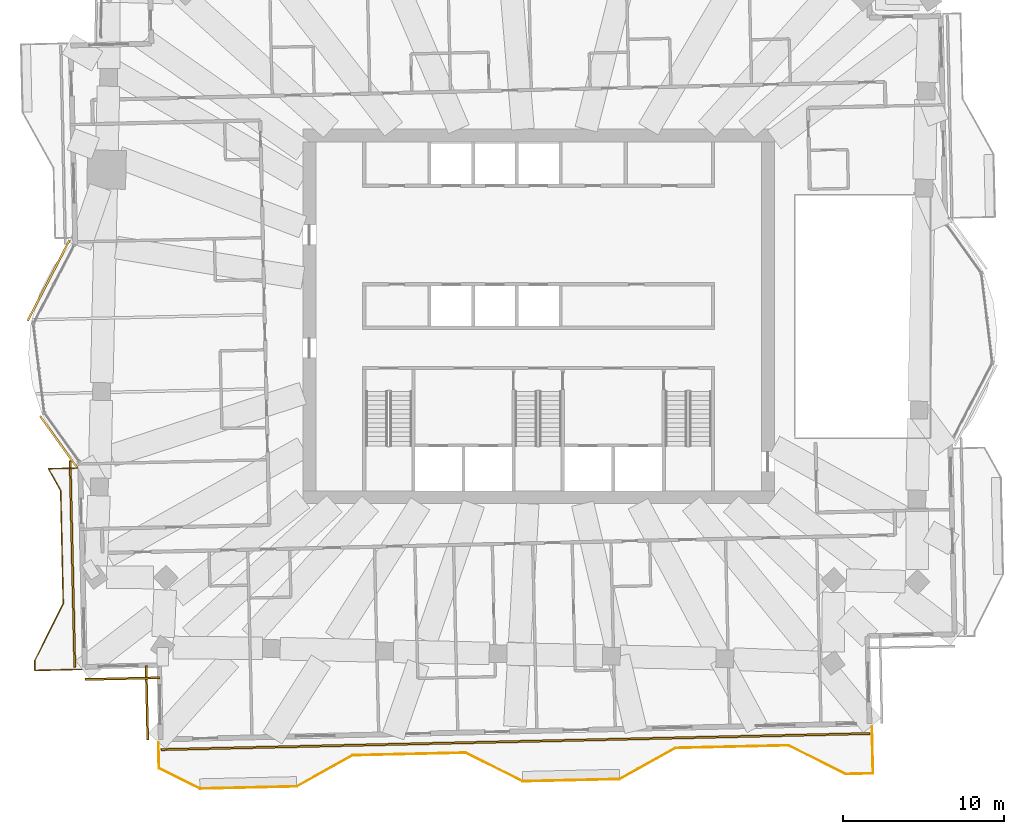
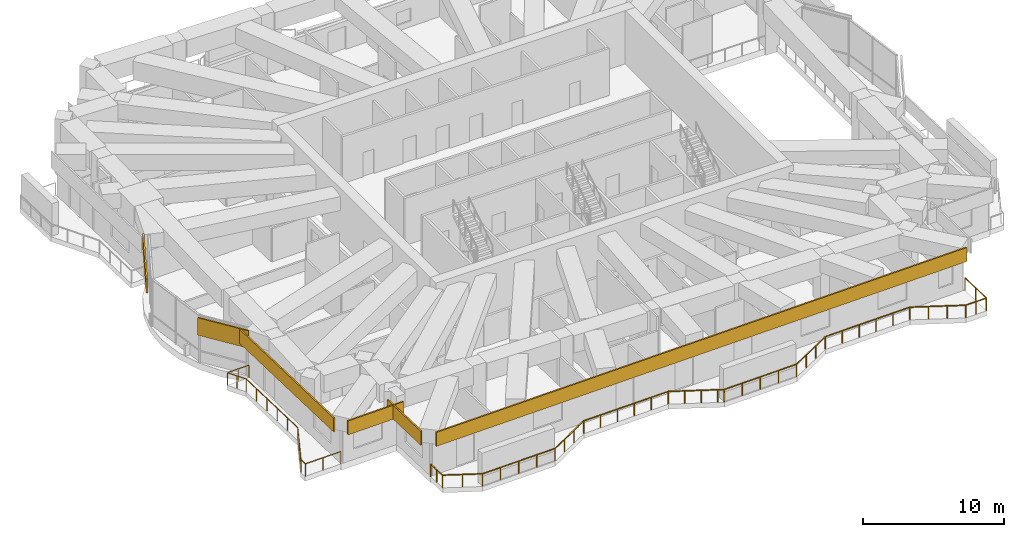
# One storey, part 15 of 19: 6 coverings, 2 railings.
"""IFC4 building model written with IfcOpenShell, lengths in metres."""

from ifc_helpers import new_model, si_unit, direction, frame, frame_2d, origin, origin_2d, place, context, subcontext, project, spatial, rectangle, extrude, material, layer, layer_set, type_object, element, save


model = new_model("IFC4")

# Units and contexts
model_context = context("Model", 3, precision=1e-05, world=origin(), true_north=direction((0.0, 1.0)))
body_context = subcontext(model_context, "Body", "Model", "MODEL_VIEW")
ifc_project = project(units=[si_unit("LENGTHUNIT", "METRE"), si_unit("AREAUNIT", "SQUARE_METRE"), si_unit("VOLUMEUNIT", "CUBIC_METRE"), si_unit("PLANEANGLEUNIT", "RADIAN"), si_unit("MASSUNIT", "GRAM", prefix="KILO")], contexts=[model_context])

# Site, building, storey
site_placement = place(None, origin())
site = spatial("IfcSite", under=ifc_project, at=site_placement, CompositionType="ELEMENT")
building_placement = place(site_placement, origin())
building = spatial("IfcBuilding", under=site, at=building_placement, Name="Mangrove Gate Tower", CompositionType="ELEMENT")
storey_placement = place(building_placement, frame((0.0, 0.0, 226.5)))
storey = spatial("IfcBuildingStorey", under=building, at=storey_placement, Name="L57", CompositionType="ELEMENT", Elevation=226.5)

# Railings
ifc_material_1 = material(Name="Stainless steel grade 316 with laminated glass infill", Category="steel")
railing_type = type_object("IfcRailingType", Name="Balcony guard 1100", PredefinedType="GUARDRAIL", material=ifc_material_1)
railing_1_placement = place(storey_placement, frame((-28.574951171875, -9.388916015625, 0.0)))
element("IfcRailing", 1, at=railing_1_placement, inside=storey, type_object=railing_type, Name="GUARD L57 W2", PredefinedType="GUARDRAIL", context=body_context, shape_type="SweptSolid", body=[
    extrude(rectangle(XDim=0.048095703125, YDim=0.048095703125, at=origin_2d()), frame((0.0, 0.0, 1.076171875), z_axis=(-0.999736733938, -0.0229447775, 0.0), x_axis=(0.0229447775, -0.999736733938, 0.0)), (0.0, 0.0, 1.0), 1.78759765625),
    extrude(rectangle(XDim=0.048095703125, YDim=0.048095703125, at=origin_2d()), frame((-1.787109375, -0.041015625, 1.076171875), z_axis=(0.487374509101, -0.873193041588, 0.0), x_axis=(0.873193041588, 0.487374509101, 0.0)), (0.0, 0.0, 1.0), 1.555419921875),
    extrude(rectangle(XDim=0.048095703125, YDim=0.048095703125, at=origin_2d()), frame((-1.029052734375, -1.399169921875, 1.076171875), z_axis=(0.022706351659, -0.999742177561, 0.0), x_axis=(0.999742177561, 0.022706351659, 0.0)), (0.0, 0.0, 1.0), 6.99951171875),
    extrude(rectangle(XDim=0.048095703125, YDim=0.048095703125, at=origin_2d()), frame((-0.8701171875, -8.39697265625, 1.076171875), z_axis=(-0.447114919141, -0.894476522376, 0.0), x_axis=(0.894476522376, -0.447114919141, 0.0)), (0.0, 0.0, 1.0), 3.958740234375),
    extrude(rectangle(XDim=0.048095703125, YDim=0.048095703125, at=origin_2d()), frame((-2.64013671875, -11.93798828125, 1.076171875), z_axis=(0.021963780888, -0.999758767068, 0.0), x_axis=(0.999758767068, 0.021963780888, 0.0)), (0.0, 0.0, 1.0), 0.600341796875),
    extrude(rectangle(XDim=0.048095703125, YDim=0.048095703125, at=origin_2d()), frame((-2.626953125, -12.5380859375, 1.076171875), z_axis=(0.999743521605, 0.022647097142, 0.0), x_axis=(-0.022647097142, 0.999743521605, 0.0)), (0.0, 0.0, 1.0), 2.91064453125),
    extrude(rectangle(XDim=0.0419921875, YDim=0.0419921875, at=origin_2d()), origin(), (0.0, 0.0, 1.0), 1.052001953125),
    extrude(rectangle(XDim=0.0419921875, YDim=0.0419921875, at=origin_2d()), frame((-0.8935546875, -0.0205078125, 0.0)), (0.0, 0.0, 1.0), 1.052001953125),
    extrude(rectangle(XDim=0.0419921875, YDim=0.0419921875, at=origin_2d()), frame((-1.787109375, -0.041015625, 0.0)), (0.0, 0.0, 1.0), 1.052001953125),
    extrude(rectangle(XDim=0.0419921875, YDim=0.0419921875, at=origin_2d()), frame((-1.408203125, -0.72021484375, 0.0)), (0.0, 0.0, 1.0), 1.052001953125),
    extrude(rectangle(XDim=0.0419921875, YDim=0.0419921875, at=origin_2d()), frame((-1.029052734375, -1.399169921875, 0.0)), (0.0, 0.0, 1.0), 1.052001953125),
    extrude(rectangle(XDim=0.0419921875, YDim=0.0419921875, at=origin_2d()), frame((-0.997314453125, -2.798828125, 0.0)), (0.0, 0.0, 1.0), 1.052001953125),
    extrude(rectangle(XDim=0.0419921875, YDim=0.0419921875, at=origin_2d()), frame((-0.965576171875, -4.1982421875, 0.0)), (0.0, 0.0, 1.0), 1.052001953125),
    extrude(rectangle(XDim=0.0419921875, YDim=0.0419921875, at=origin_2d()), frame((-0.93359375, -5.597900390625, 0.0)), (0.0, 0.0, 1.0), 1.052001953125),
    extrude(rectangle(XDim=0.0419921875, YDim=0.0419921875, at=origin_2d()), frame((-0.90185546875, -6.997314453125, 0.0)), (0.0, 0.0, 1.0), 1.052001953125),
    extrude(rectangle(XDim=0.0419921875, YDim=0.0419921875, at=origin_2d()), frame((-0.8701171875, -8.39697265625, 0.0)), (0.0, 0.0, 1.0), 1.052001953125),
    extrude(rectangle(XDim=0.0419921875, YDim=0.0419921875, at=origin_2d()), frame((-1.460205078125, -9.577392578125, 0.0)), (0.0, 0.0, 1.0), 1.052001953125),
    extrude(rectangle(XDim=0.0419921875, YDim=0.0419921875, at=origin_2d()), frame((-2.050048828125, -10.757568359375, 0.0)), (0.0, 0.0, 1.0), 1.052001953125),
    extrude(rectangle(XDim=0.0419921875, YDim=0.0419921875, at=origin_2d()), frame((-2.64013671875, -11.93798828125, 0.0)), (0.0, 0.0, 1.0), 1.052001953125),
    extrude(rectangle(XDim=0.0419921875, YDim=0.0419921875, at=origin_2d()), frame((-2.626953125, -12.5380859375, 0.0)), (0.0, 0.0, 1.0), 1.052001953125),
    extrude(rectangle(XDim=0.0419921875, YDim=0.0419921875, at=origin_2d()), frame((-1.171875, -12.505126953125, 0.0)), (0.0, 0.0, 1.0), 1.052001953125),
    extrude(rectangle(XDim=0.0419921875, YDim=0.0419921875, at=origin_2d()), frame((0.282958984375, -12.47216796875, 0.0)), (0.0, 0.0, 1.0), 1.052001953125),
])
railing_2_placement = place(storey_placement, frame((-23.548095703125, -26.39404296875, 0.0)))
element("IfcRailing", 2, at=railing_2_placement, inside=storey, type_object=railing_type, Name="GUARD L57 S1", PredefinedType="GUARDRAIL", context=body_context, shape_type="SweptSolid", body=[
    extrude(rectangle(XDim=0.048095703125, YDim=0.048095703125, at=origin_2d()), frame((0.0, 0.0, 1.076171875), z_axis=(0.022777340407, -0.999740562728, 0.0), x_axis=(0.999740562728, 0.022777340407, 0.0)), (0.0, 0.0, 1.0), 1.58642578125),
    extrude(rectangle(XDim=0.048095703125, YDim=0.048095703125, at=origin_2d()), frame((0.0361328125, -1.5859375, 1.076171875), z_axis=(0.894340972845, -0.447385990271, 0.0), x_axis=(0.447385990271, 0.894340972845, 0.0)), (0.0, 0.0, 1.0), 2.832275390625),
    extrude(rectangle(XDim=0.048095703125, YDim=0.048095703125, at=origin_2d()), frame((2.569091796875, -2.85302734375, 1.076171875), z_axis=(0.999743094499, 0.022665943652, 0.0), x_axis=(-0.022665943652, 0.999743094499, 0.0)), (0.0, 0.0, 1.0), 5.99951171875),
    extrude(rectangle(XDim=0.048095703125, YDim=0.048095703125, at=origin_2d()), frame((8.567138671875, -2.717041015625, 1.076171875), z_axis=(0.873289216505, 0.487202159618, 0.0), x_axis=(-0.487202159618, 0.873289216505, 0.0)), (0.0, 0.0, 1.0), 3.959716796875),
    extrude(rectangle(XDim=0.048095703125, YDim=0.048095703125, at=origin_2d()), frame((12.025146484375, -0.787841796875, 1.076171875), z_axis=(0.999742195543, 0.022705559911, 0.0), x_axis=(-0.022705559911, 0.999742195543, 0.0)), (0.0, 0.0, 1.0), 6.999755859375),
    extrude(rectangle(XDim=0.048095703125, YDim=0.048095703125, at=origin_2d()), frame((19.023193359375, -0.62890625, 1.076171875), z_axis=(0.894413264318, -0.447241447779, 0.0), x_axis=(0.447241447779, 0.894413264318, 0.0)), (0.0, 0.0, 1.0), 3.506103515625),
    extrude(rectangle(XDim=0.048095703125, YDim=0.048095703125, at=origin_2d()), frame((22.1591796875, -2.197021484375, 1.076171875), z_axis=(0.894966001385, -0.446134347888, 0.0), x_axis=(0.446134347888, 0.894966001385, 0.0)), (0.0, 0.0, 1.0), 0.45263671875),
    extrude(rectangle(XDim=0.048095703125, YDim=0.048095703125, at=origin_2d()), frame((22.564208984375, -2.39892578125, 1.076171875), z_axis=(0.999743073592, 0.022666865795, 0.0), x_axis=(-0.022666865795, 0.999743073592, 0.0)), (0.0, 0.0, 1.0), 5.999267578125),
    extrude(rectangle(XDim=0.048095703125, YDim=0.048095703125, at=origin_2d()), frame((28.56201171875, -2.262939453125, 1.076171875), z_axis=(0.87325689943, 0.48726008209, 0.0), x_axis=(-0.48726008209, 0.87325689943, 0.0)), (0.0, 0.0, 1.0), 3.958740234375),
    extrude(rectangle(XDim=0.048095703125, YDim=0.048095703125, at=origin_2d()), frame((32.01904296875, -0.333984375, 1.076171875), z_axis=(0.999742267452, 0.022702393474, 0.0), x_axis=(-0.022702393474, 0.999742267452, 0.0)), (0.0, 0.0, 1.0), 7.000732421875),
    extrude(rectangle(XDim=0.048095703125, YDim=0.048095703125, at=origin_2d()), frame((39.01806640625, -0.175048828125, 1.076171875), z_axis=(0.894476522376, -0.447114919141, 0.0), x_axis=(0.447114919141, 0.894476522376, 0.0)), (0.0, 0.0, 1.0), 3.958740234375),
    extrude(rectangle(XDim=0.048095703125, YDim=0.048095703125, at=origin_2d()), frame((42.55908203125, -1.945068359375, 1.076171875), z_axis=(0.999750055601, 0.022356795968, 0.0), x_axis=(-0.022356795968, 0.999750055601, 0.0)), (0.0, 0.0, 1.0), 1.70361328125),
    extrude(rectangle(XDim=0.048095703125, YDim=0.048095703125, at=origin_2d()), frame((44.26220703125, -1.906982421875, 1.076171875), z_axis=(-0.02273093202, 0.999741618984, 0.0), x_axis=(-0.999741618984, -0.02273093202, 0.0)), (0.0, 0.0, 1.0), 2.91064453125),
    extrude(rectangle(XDim=0.0419921875, YDim=0.0419921875, at=origin_2d()), origin(), (0.0, 0.0, 1.0), 1.052001953125),
    extrude(rectangle(XDim=0.0419921875, YDim=0.0419921875, at=origin_2d()), frame((0.01806640625, -0.79296875, 0.0)), (0.0, 0.0, 1.0), 1.052001953125),
    extrude(rectangle(XDim=0.0419921875, YDim=0.0419921875, at=origin_2d()), frame((0.0361328125, -1.5859375, 0.0)), (0.0, 0.0, 1.0), 1.052001953125),
    extrude(rectangle(XDim=0.0419921875, YDim=0.0419921875, at=origin_2d()), frame((1.302734375, -2.219482421875, 0.0)), (0.0, 0.0, 1.0), 1.052001953125),
    extrude(rectangle(XDim=0.0419921875, YDim=0.0419921875, at=origin_2d()), frame((2.569091796875, -2.85302734375, 0.0)), (0.0, 0.0, 1.0), 1.052001953125),
    extrude(rectangle(XDim=0.0419921875, YDim=0.0419921875, at=origin_2d()), frame((4.068603515625, -2.819091796875, 0.0)), (0.0, 0.0, 1.0), 1.052001953125),
    extrude(rectangle(XDim=0.0419921875, YDim=0.0419921875, at=origin_2d()), frame((5.568115234375, -2.78515625, 0.0)), (0.0, 0.0, 1.0), 1.052001953125),
    extrude(rectangle(XDim=0.0419921875, YDim=0.0419921875, at=origin_2d()), frame((7.067626953125, -2.7509765625, 0.0)), (0.0, 0.0, 1.0), 1.052001953125),
    extrude(rectangle(XDim=0.0419921875, YDim=0.0419921875, at=origin_2d()), frame((8.567138671875, -2.717041015625, 0.0)), (0.0, 0.0, 1.0), 1.052001953125),
    extrude(rectangle(XDim=0.0419921875, YDim=0.0419921875, at=origin_2d()), frame((9.7197265625, -2.073974609375, 0.0)), (0.0, 0.0, 1.0), 1.052001953125),
    extrude(rectangle(XDim=0.0419921875, YDim=0.0419921875, at=origin_2d()), frame((10.87255859375, -1.430908203125, 0.0)), (0.0, 0.0, 1.0), 1.052001953125),
    extrude(rectangle(XDim=0.0419921875, YDim=0.0419921875, at=origin_2d()), frame((12.025146484375, -0.787841796875, 0.0)), (0.0, 0.0, 1.0), 1.052001953125),
    extrude(rectangle(XDim=0.0419921875, YDim=0.0419921875, at=origin_2d()), frame((13.4248046875, -0.756103515625, 0.0)), (0.0, 0.0, 1.0), 1.052001953125),
    extrude(rectangle(XDim=0.0419921875, YDim=0.0419921875, at=origin_2d()), frame((14.824462890625, -0.724365234375, 0.0)), (0.0, 0.0, 1.0), 1.052001953125),
    extrude(rectangle(XDim=0.0419921875, YDim=0.0419921875, at=origin_2d()), frame((16.223876953125, -0.6923828125, 0.0)), (0.0, 0.0, 1.0), 1.052001953125),
    extrude(rectangle(XDim=0.0419921875, YDim=0.0419921875, at=origin_2d()), frame((17.62353515625, -0.66064453125, 0.0)), (0.0, 0.0, 1.0), 1.052001953125),
    extrude(rectangle(XDim=0.0419921875, YDim=0.0419921875, at=origin_2d()), frame((19.023193359375, -0.62890625, 0.0)), (0.0, 0.0, 1.0), 1.052001953125),
    extrude(rectangle(XDim=0.0419921875, YDim=0.0419921875, at=origin_2d()), frame((20.068603515625, -1.151611328125, 0.0)), (0.0, 0.0, 1.0), 1.052001953125),
    extrude(rectangle(XDim=0.0419921875, YDim=0.0419921875, at=origin_2d()), frame((21.11376953125, -1.67431640625, 0.0)), (0.0, 0.0, 1.0), 1.052001953125),
    extrude(rectangle(XDim=0.0419921875, YDim=0.0419921875, at=origin_2d()), frame((22.1591796875, -2.197021484375, 0.0)), (0.0, 0.0, 1.0), 1.052001953125),
    extrude(rectangle(XDim=0.0419921875, YDim=0.0419921875, at=origin_2d()), frame((22.564208984375, -2.39892578125, 0.0)), (0.0, 0.0, 1.0), 1.052001953125),
    extrude(rectangle(XDim=0.0419921875, YDim=0.0419921875, at=origin_2d()), frame((24.063720703125, -2.364990234375, 0.0)), (0.0, 0.0, 1.0), 1.052001953125),
    extrude(rectangle(XDim=0.0419921875, YDim=0.0419921875, at=origin_2d()), frame((25.56298828125, -2.3310546875, 0.0)), (0.0, 0.0, 1.0), 1.052001953125),
    extrude(rectangle(XDim=0.0419921875, YDim=0.0419921875, at=origin_2d()), frame((27.0625, -2.296875, 0.0)), (0.0, 0.0, 1.0), 1.052001953125),
    extrude(rectangle(XDim=0.0419921875, YDim=0.0419921875, at=origin_2d()), frame((28.56201171875, -2.262939453125, 0.0)), (0.0, 0.0, 1.0), 1.052001953125),
    extrude(rectangle(XDim=0.0419921875, YDim=0.0419921875, at=origin_2d()), frame((29.71435546875, -1.619873046875, 0.0)), (0.0, 0.0, 1.0), 1.052001953125),
    extrude(rectangle(XDim=0.0419921875, YDim=0.0419921875, at=origin_2d()), frame((30.86669921875, -0.97705078125, 0.0)), (0.0, 0.0, 1.0), 1.052001953125),
    extrude(rectangle(XDim=0.0419921875, YDim=0.0419921875, at=origin_2d()), frame((32.01904296875, -0.333984375, 0.0)), (0.0, 0.0, 1.0), 1.052001953125),
    extrude(rectangle(XDim=0.0419921875, YDim=0.0419921875, at=origin_2d()), frame((33.4189453125, -0.30224609375, 0.0)), (0.0, 0.0, 1.0), 1.052001953125),
    extrude(rectangle(XDim=0.0419921875, YDim=0.0419921875, at=origin_2d()), frame((34.818603515625, -0.2705078125, 0.0)), (0.0, 0.0, 1.0), 1.052001953125),
    extrude(rectangle(XDim=0.0419921875, YDim=0.0419921875, at=origin_2d()), frame((36.218505859375, -0.238525390625, 0.0)), (0.0, 0.0, 1.0), 1.052001953125),
    extrude(rectangle(XDim=0.0419921875, YDim=0.0419921875, at=origin_2d()), frame((37.6181640625, -0.206787109375, 0.0)), (0.0, 0.0, 1.0), 1.052001953125),
    extrude(rectangle(XDim=0.0419921875, YDim=0.0419921875, at=origin_2d()), frame((39.01806640625, -0.175048828125, 0.0)), (0.0, 0.0, 1.0), 1.052001953125),
    extrude(rectangle(XDim=0.0419921875, YDim=0.0419921875, at=origin_2d()), frame((40.198486328125, -0.76513671875, 0.0)), (0.0, 0.0, 1.0), 1.052001953125),
    extrude(rectangle(XDim=0.0419921875, YDim=0.0419921875, at=origin_2d()), frame((41.378662109375, -1.35498046875, 0.0)), (0.0, 0.0, 1.0), 1.052001953125),
    extrude(rectangle(XDim=0.0419921875, YDim=0.0419921875, at=origin_2d()), frame((42.55908203125, -1.945068359375, 0.0)), (0.0, 0.0, 1.0), 1.052001953125),
    extrude(rectangle(XDim=0.0419921875, YDim=0.0419921875, at=origin_2d()), frame((43.41064453125, -1.926025390625, 0.0)), (0.0, 0.0, 1.0), 1.052001953125),
    extrude(rectangle(XDim=0.0419921875, YDim=0.0419921875, at=origin_2d()), frame((44.26220703125, -1.906982421875, 0.0)), (0.0, 0.0, 1.0), 1.052001953125),
    extrude(rectangle(XDim=0.0419921875, YDim=0.0419921875, at=origin_2d()), frame((44.22900390625, -0.4521484375, 0.0)), (0.0, 0.0, 1.0), 1.052001953125),
    extrude(rectangle(XDim=0.0419921875, YDim=0.0419921875, at=origin_2d()), frame((44.196044921875, 1.0029296875, 0.0)), (0.0, 0.0, 1.0), 1.052001953125),
])

# Coverings
ifc_material_2 = material(Name="Limestone", Category="masonry")
ifc_layer_1 = layer(ifc_material_2, 0.0400390625, Name="Limestone cladding")
ifc_material_3 = material(Name="Stainless steel anchors and cavity", Category="steel")
ifc_layer_2 = layer(ifc_material_3, 0.080078125, Name="Fixing cavity")
ifc_layer_set = layer_set([ifc_layer_1, ifc_layer_2], Name="Joint fascia cladding 120")
covering_type = type_object("IfcCoveringType", Name="Joint fascia cladding 120", PredefinedType="CLADDING", material=ifc_layer_set)
covering_1_placement = place(storey_placement, frame((-29.048095703125, 4.737060546875, 2.85009765625), z_axis=(0.0, 0.0, 1.0), x_axis=(-0.460682195105, -0.887565161052, 0.0)))
element("IfcCovering", 3, at=covering_1_placement, inside=storey, type_object=covering_type, Name="STONE FASCIA L57 W9.L1", PredefinedType="CLADDING", context=body_context, shape_type="SweptSolid", body=[
    extrude(rectangle(XDim=5.641357421875, YDim=0.1201171875, at=frame_2d((2.82080078125, 0.0))), origin(), (0.0, 0.0, 1.0), 1.199951171875),
])
covering_2_placement = place(storey_placement, frame((-30.875, -6.1650390625, 2.550048828125), z_axis=(0.0, 0.0, 1.0), x_axis=(0.58357585239, -0.812058633664, 0.0)))
element("IfcCovering", 4, at=covering_2_placement, inside=storey, type_object=covering_type, Name="STONE FASCIA L57 W9.L2", PredefinedType="CLADDING", context=body_context, shape_type="SweptSolid", body=[
    extrude(rectangle(XDim=3.927978515625, YDim=0.1201171875, at=frame_2d((1.9638671875, 0.0))), origin(), (0.0, 0.0, 1.0), 1.5),
])
covering_3_placement = place(storey_placement, frame((-29.017578125, -8.932861328125, 2.85009765625), z_axis=(0.0, 0.0, 1.0), x_axis=(0.022712734226, -0.999742032578, 0.0)))
element("IfcCovering", 5, at=covering_3_placement, inside=storey, type_object=covering_type, Name="STONE FASCIA L57 W10.1", PredefinedType="CLADDING", context=body_context, shape_type="SweptSolid", body=[
    extrude(rectangle(XDim=12.79150390625, YDim=0.1201171875, at=frame_2d((6.395751953125, 0.0))), origin(), (0.0, 0.0, 1.0), 1.199951171875),
])
covering_4_placement = place(storey_placement, frame((-28.087890625, -22.48388671875, 2.85009765625), z_axis=(0.0, 0.0, 1.0), x_axis=(0.999740466145, 0.02278157925, 0.0)))
element("IfcCovering", 6, at=covering_4_placement, inside=storey, type_object=covering_type, Name="STONE FASCIA L57 S11.1", PredefinedType="CLADDING", context=body_context, shape_type="SweptSolid", body=[
    extrude(rectangle(XDim=4.608154296875, YDim=0.1201171875, at=frame_2d((2.30419921875, 0.0))), origin(), (0.0, 0.0, 1.0), 1.199951171875),
])
covering_5_placement = place(storey_placement, frame((-24.31201171875, -21.6201171875, 2.85009765625), z_axis=(0.0, 0.0, 1.0), x_axis=(0.022821468877, -0.999739556364, 0.0)))
element("IfcCovering", 7, at=covering_5_placement, inside=storey, type_object=covering_type, Name="STONE FASCIA L57 W12.1", PredefinedType="CLADDING", context=body_context, shape_type="SweptSolid", body=[
    extrude(rectangle(XDim=4.60009765625, YDim=0.1201171875, at=frame_2d((2.300048828125, 0.0))), origin(), (0.0, 0.0, 1.0), 1.199951171875),
])
covering_6_placement = place(storey_placement, frame((-23.387939453125, -26.830078125, 2.85009765625), z_axis=(0.0, 0.0, 1.0), x_axis=(0.999742632957, 0.022686292075, 0.0)))
element("IfcCovering", 8, at=covering_6_placement, inside=storey, type_object=covering_type, Name="STONE FASCIA L57 S13.1", PredefinedType="CLADDING", context=body_context, shape_type="SweptSolid", body=[
    extrude(rectangle(XDim=43.9072265625, YDim=0.1201171875, at=frame_2d((21.95361328125, 0.0))), origin(), (0.0, 0.0, 1.0), 1.199951171875),
])

save(model, "model.ifc")
